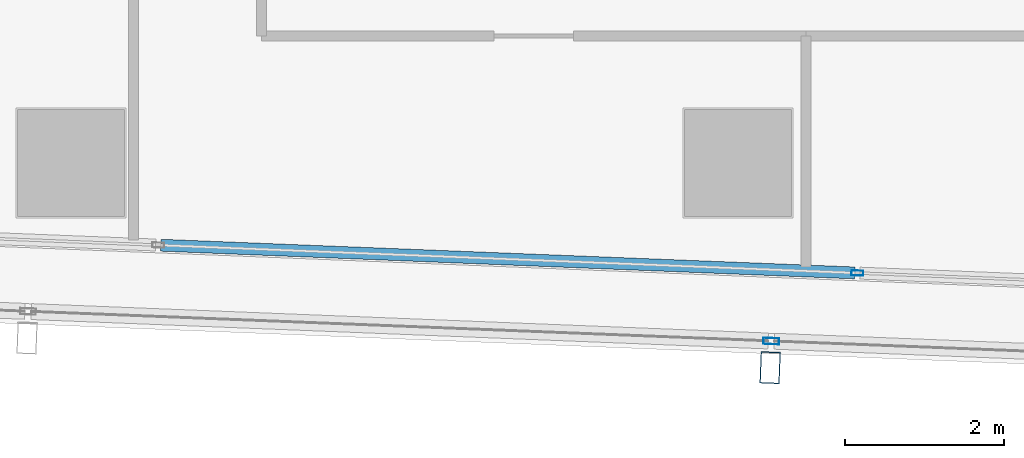
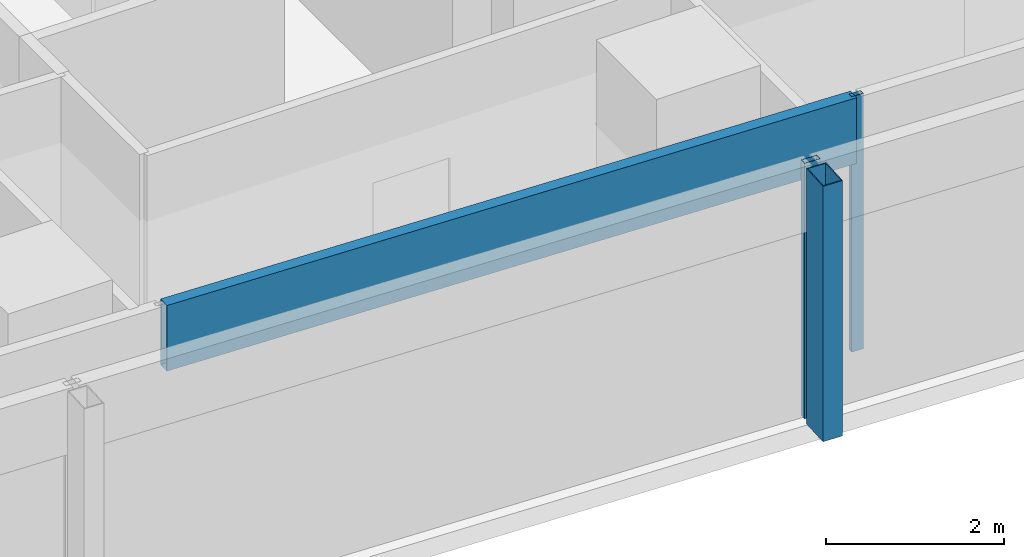
# One storey, part 6 of 39: 4 members, 2 elements without a shape of their own.
"""IFC4 building model written with IfcOpenShell, lengths in metres."""

from ifc_helpers import new_model, si_unit, direction, frame, origin, origin_2d, place, context, subcontext, project, spatial, hollow_rectangle, extrude, material, material_profile, profile_set, type_object, element, aggregate, save


model = new_model("IFC4")

# Units and contexts
model_context = context("Model", 3, precision=1e-05, world=origin(), true_north=direction((0.0, 1.0)))
body_context = subcontext(model_context, "Body", "Model", "MODEL_VIEW")
ifc_project = project(units=[si_unit("LENGTHUNIT", "METRE"), si_unit("AREAUNIT", "SQUARE_METRE"), si_unit("VOLUMEUNIT", "CUBIC_METRE"), si_unit("PLANEANGLEUNIT", "RADIAN"), si_unit("MASSUNIT", "GRAM", prefix="KILO")], contexts=[model_context])

# Site, building, storey
site_placement = place(None, origin())
site = spatial("IfcSite", under=ifc_project, at=site_placement, CompositionType="ELEMENT")
building_placement = place(site_placement, origin())
building = spatial("IfcBuilding", under=site, at=building_placement, Name="Rekha Terrace Tower", CompositionType="ELEMENT")
storey_placement = place(building_placement, frame((0.0, 0.0, 187.699951171875)))
storey = spatial("IfcBuildingStorey", under=building, at=storey_placement, Name="L47", CompositionType="ELEMENT", Elevation=187.699951171875)

# Curtain wall, member
ifc_material_1 = material(Name="Aluminium framing", Category="aluminium")
curtain_wall_type_1 = type_object("IfcCurtainWallType", Name="CW2 double skin outer glazing", PredefinedType="USERDEFINED", material=ifc_material_1)
curtain_wall_1_placement = place(storey_placement, origin())
curtain_wall_1 = element("IfcCurtainWall", 1, at=curtain_wall_1_placement, inside=storey, type_object=curtain_wall_type_1, Name="CW2 double skin outer glazing", ObjectType="DOUBLE SKIN OUTER GLAZING", PredefinedType="USERDEFINED")
ifc_material_2 = material(Name="Steel S355 with fluorocarbon finish", Category="steel")
ifc_material_profile_1 = material_profile(ifc_material_2, hollow_rectangle(XDim=0.25, YDim=0.39990234375, WallThickness=0.012451171875, at=origin_2d()), Name="RHS400x250x12.5")
ifc_profile_set_1 = profile_set([ifc_material_profile_1], Name="Steel S355 with fluorocarbon finish")
member_type_1 = type_object("IfcMemberType", Name="BL1 facade blade RHS 400 x 250", PredefinedType="USERDEFINED", material=ifc_profile_set_1)
member_1_placement = place(storey_placement, frame((25.60498046875, 14.222412109375, 0.0), z_axis=(0.0, 0.0, 1.0), x_axis=(0.999204797763, -0.039871946621, 0.0)))
member_1 = element("IfcMember", 2, at=member_1_placement, type_object=member_type_1, Name="Facade blade", ObjectType="FACADE BLADE", PredefinedType="USERDEFINED", context=body_context, shape_type="SweptSolid", body=[
    extrude(hollow_rectangle(XDim=0.25, YDim=0.39990234375, WallThickness=0.012451171875, at=origin_2d()), origin(), (0.0, 0.0, 1.0), 3.5),
])

# Curtain wall, members
curtain_wall_type_2 = type_object("IfcCurtainWallType", Name="CW1 double skin inner glazing", PredefinedType="USERDEFINED", material=ifc_material_1)
curtain_wall_2_placement = place(storey_placement, origin())
curtain_wall_2 = element("IfcCurtainWall", 3, at=curtain_wall_2_placement, inside=storey, type_object=curtain_wall_type_2, Name="CW1 double skin inner glazing", ObjectType="DOUBLE SKIN INNER GLAZING", PredefinedType="USERDEFINED")
ifc_material_3 = material(Name="Aluminium mullion section", Category="aluminium")
ifc_material_profile_2 = material_profile(ifc_material_3, hollow_rectangle(XDim=0.06494140625, YDim=0.14990234375, WallThickness=0.00390625, at=origin_2d()), Name="AL RHS 65x150")
ifc_profile_set_2 = profile_set([ifc_material_profile_2], Name="Aluminium mullion section")
member_type_2 = type_object("IfcMemberType", Name="CW1 mullion RHS 65 x 150", PredefinedType="MULLION", material=ifc_profile_set_2)
member_2_placement = place(storey_placement, frame((26.703369140625, 15.41455078125, 0.0), z_axis=(0.0, 0.0, 1.0), x_axis=(0.039872497061, 0.999204775798, 0.0)))
member_2 = element("IfcMember", 4, at=member_2_placement, type_object=member_type_2, Name="CW1 mullion 3", PredefinedType="MULLION", context=body_context, shape_type="SweptSolid", body=[
    extrude(hollow_rectangle(XDim=0.06494140625, YDim=0.14990234375, WallThickness=0.00390625, at=origin_2d()), origin(), (0.0, 0.0, 1.0), 3.5),
])
ifc_material_4 = material(Name="Insulated aluminium spandrel box", Category="aluminium")
ifc_material_profile_3 = material_profile(ifc_material_4, hollow_rectangle(XDim=0.14990234375, YDim=0.89990234375, WallThickness=0.0029296875, at=origin_2d()), Name="AL SPANDREL BOX 150x900")
ifc_profile_set_3 = profile_set([ifc_material_profile_3], Name="Insulated aluminium spandrel box")
member_type_3 = type_object("IfcMemberType", Name="CW1 spandrel transom 150 x 900", PredefinedType="USERDEFINED", material=ifc_profile_set_3)
member_3_placement = place(storey_placement, frame((17.931396484375, 15.7646484375, 3.050048828125), z_axis=(0.999205278064, -0.039859908291, 0.0), x_axis=(0.039859908291, 0.999205278064, 0.0)))
member_3 = element("IfcMember", 5, at=member_3_placement, type_object=member_type_3, Name="CW1 spandrel transom 2", ObjectType="TRANSOM", PredefinedType="USERDEFINED", context=body_context, shape_type="SweptSolid", body=[
    extrude(hollow_rectangle(XDim=0.14990234375, YDim=0.89990234375, WallThickness=0.0029296875, at=origin_2d()), origin(), (0.0, 0.0, 1.0), 8.746337890625),
])
aggregate(curtain_wall_2, [member_2, member_3])

# Member
ifc_material_profile_4 = material_profile(ifc_material_3, hollow_rectangle(XDim=0.080078125, YDim=0.199951171875, WallThickness=0.00390625, at=origin_2d()), Name="AL RHS 80x200")
ifc_profile_set_4 = profile_set([ifc_material_profile_4], Name="Aluminium mullion section")
member_type_4 = type_object("IfcMemberType", Name="CW2 mullion RHS 80 x 200", PredefinedType="MULLION", material=ifc_profile_set_4)
member_4_placement = place(storey_placement, frame((25.618408203125, 14.55712890625, 0.0), z_axis=(0.0, 0.0, 1.0), x_axis=(0.039872497044, 0.999204775799, 0.0)))
member_4 = element("IfcMember", 6, at=member_4_placement, type_object=member_type_4, Name="CW2 mullion 3", PredefinedType="MULLION", context=body_context, shape_type="SweptSolid", body=[
    extrude(hollow_rectangle(XDim=0.080078125, YDim=0.199951171875, WallThickness=0.00390625, at=origin_2d()), origin(), (0.0, 0.0, 1.0), 3.5),
])

aggregate(curtain_wall_1, [member_4, member_1])

save(model, "model.ifc")
